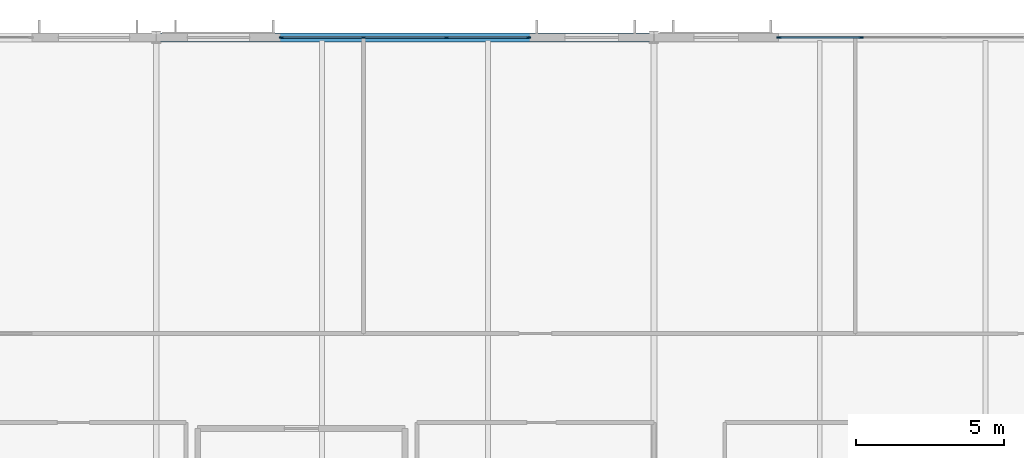
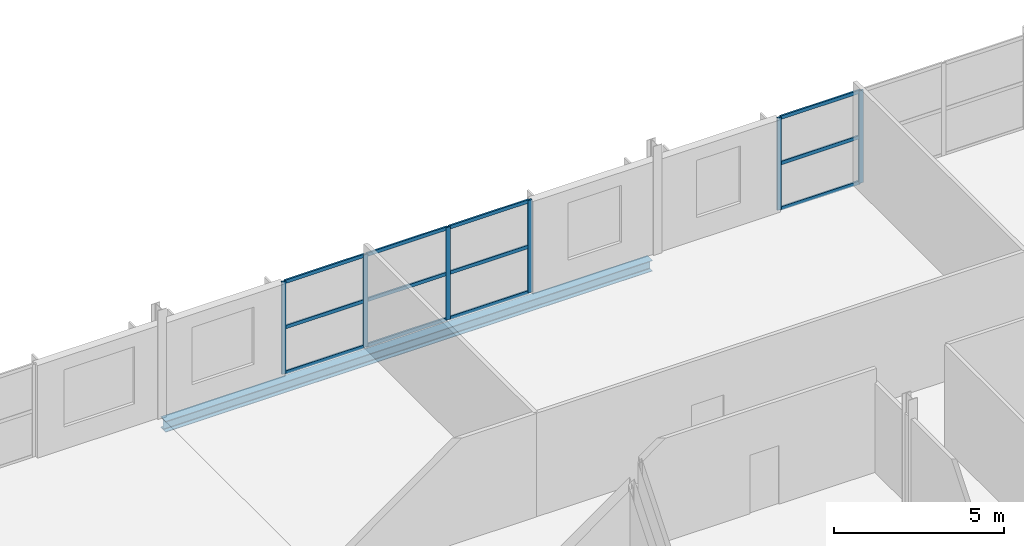
# One storey, part 17 of 36: 18 members, 1 beam, 2 elements without a shape of their own.
"""IFC4 building model written with IfcOpenShell, lengths in metres."""

from ifc_helpers import new_model, si_unit, direction, frame, origin, origin_2d, place, context, subcontext, project, spatial, rectangle, i_section, extrude, material, material_profile, profile_set, type_object, element, aggregate, save


model = new_model("IFC4")

# Units and contexts
model_context = context("Model", 3, precision=1e-05, world=origin(), true_north=direction((0.0, 1.0)))
body_context = subcontext(model_context, "Body", "Model", "MODEL_VIEW")
ifc_project = project(units=[si_unit("LENGTHUNIT", "METRE"), si_unit("AREAUNIT", "SQUARE_METRE"), si_unit("VOLUMEUNIT", "CUBIC_METRE"), si_unit("PLANEANGLEUNIT", "RADIAN"), si_unit("MASSUNIT", "GRAM", prefix="KILO")], contexts=[model_context])

# Site, building, storey
site_placement = place(None, origin())
site = spatial("IfcSite", under=ifc_project, at=site_placement, CompositionType="ELEMENT")
building_placement = place(site_placement, origin())
building = spatial("IfcBuilding", under=site, at=building_placement, Name="Kimbaza Rail Terminus", CompositionType="ELEMENT")
storey_placement = place(building_placement, frame((0.0, 0.0, 21.0)))
storey = spatial("IfcBuildingStorey", under=building, at=storey_placement, Name="L04", CompositionType="ELEMENT", Elevation=21.0)

# Curtain wall, members
ifc_material_1 = material(Name="Anodised aluminium framing and solar low-E glazing", Category="aluminium")
curtain_wall_type = type_object("IfcCurtainWallType", Name="ARC-CW-OP2", PredefinedType="USERDEFINED", material=ifc_material_1)
curtain_wall_1_placement = place(storey_placement, origin())
curtain_wall_1 = element("IfcCurtainWall", 1, at=curtain_wall_1_placement, inside=storey, type_object=curtain_wall_type, Name="Operations North Curtain Wall L04 Bay 3", ObjectType="STICK CURTAIN WALL", PredefinedType="USERDEFINED")
ifc_material_2 = material(Name="Anodised architectural aluminium", Category="aluminium")
ifc_material_profile_1 = material_profile(ifc_material_2, rectangle(XDim=0.05810546875, YDim=0.14990234375, at=origin_2d()), Name="MULLION 58x150")
ifc_profile_set_1 = profile_set([ifc_material_profile_1], Name="Anodised architectural aluminium")
member_type_1 = type_object("IfcMemberType", Name="ARC-CWM-06", PredefinedType="MULLION", material=ifc_profile_set_1)
member_1_placement = place(storey_placement, frame((93.029052734375, 133.0, 0.0), z_axis=(0.0, 0.0, 1.0), x_axis=(0.0, 1.0, 0.0)))
member_1 = element("IfcMember", 2, at=member_1_placement, type_object=member_type_1, Name="CW-06 mullion 1", PredefinedType="MULLION", context=body_context, shape_type="SweptSolid", body=[
    extrude(rectangle(XDim=0.05810546875, YDim=0.14990234375, at=origin_2d()), origin(), (0.0, 0.0, 1.0), 3.31494140625),
])
member_2_placement = place(storey_placement, frame((95.800048828125, 133.0, 0.0), z_axis=(0.0, 0.0, 1.0), x_axis=(0.0, 1.0, 0.0)))
member_2 = element("IfcMember", 3, at=member_2_placement, type_object=member_type_1, Name="CW-06 mullion 2", PredefinedType="MULLION", context=body_context, shape_type="SweptSolid", body=[
    extrude(rectangle(XDim=0.05810546875, YDim=0.14990234375, at=origin_2d()), origin(), (0.0, 0.0, 1.0), 3.31494140625),
])
member_3_placement = place(storey_placement, frame((98.60009765625, 133.0, 0.0), z_axis=(0.0, 0.0, 1.0), x_axis=(0.0, 1.0, 0.0)))
member_3 = element("IfcMember", 4, at=member_3_placement, type_object=member_type_1, Name="CW-06 mullion 3", PredefinedType="MULLION", context=body_context, shape_type="SweptSolid", body=[
    extrude(rectangle(XDim=0.05810546875, YDim=0.14990234375, at=origin_2d()), origin(), (0.0, 0.0, 1.0), 3.31494140625),
])
member_4_placement = place(storey_placement, frame((101.37109375, 133.0, 0.0), z_axis=(0.0, 0.0, 1.0), x_axis=(0.0, 1.0, 0.0)))
member_4 = element("IfcMember", 5, at=member_4_placement, type_object=member_type_1, Name="CW-06 mullion 4", PredefinedType="MULLION", context=body_context, shape_type="SweptSolid", body=[
    extrude(rectangle(XDim=0.05810546875, YDim=0.14990234375, at=origin_2d()), origin(), (0.0, 0.0, 1.0), 3.31494140625),
])

curtain_wall_2_placement = place(storey_placement, origin())
curtain_wall_2 = element("IfcCurtainWall", 6, at=curtain_wall_2_placement, inside=storey, type_object=curtain_wall_type, Name="Operations North Curtain Wall L04 Bay 4", ObjectType="STICK CURTAIN WALL", PredefinedType="USERDEFINED")
member_5_placement = place(storey_placement, frame((109.8291015625, 133.0, 0.0), z_axis=(0.0, 0.0, 1.0), x_axis=(0.0, 1.0, 0.0)))
member_5 = element("IfcMember", 7, at=member_5_placement, type_object=member_type_1, Name="CW-06 mullion 1", PredefinedType="MULLION", context=body_context, shape_type="SweptSolid", body=[
    extrude(rectangle(XDim=0.05810546875, YDim=0.14990234375, at=origin_2d()), origin(), (0.0, 0.0, 1.0), 3.31494140625),
])
member_6_placement = place(storey_placement, frame((112.60009765625, 133.0, 0.0), z_axis=(0.0, 0.0, 1.0), x_axis=(0.0, 1.0, 0.0)))
member_6 = element("IfcMember", 8, at=member_6_placement, type_object=member_type_1, Name="CW-06 mullion 2", PredefinedType="MULLION", context=body_context, shape_type="SweptSolid", body=[
    extrude(rectangle(XDim=0.05810546875, YDim=0.14990234375, at=origin_2d()), origin(), (0.0, 0.0, 1.0), 3.31494140625),
])

# Member
ifc_material_3 = material(Name="Anodised architectural aluminium", Category="aluminium")
ifc_material_profile_2 = material_profile(ifc_material_3, rectangle(XDim=0.05810546875, YDim=0.125, at=origin_2d()), Name="TRANSOM 58x125")
ifc_profile_set_2 = profile_set([ifc_material_profile_2], Name="Anodised architectural aluminium")
member_type_2 = type_object("IfcMemberType", Name="ARC-CWT-06", PredefinedType="USERDEFINED", material=ifc_profile_set_2)
member_7_placement = place(storey_placement, frame((93.05810546875, 133.0, 0.029052734375), z_axis=(1.0, 0.0, 0.0), x_axis=(0.0, 1.0, 0.0)))
member_7 = element("IfcMember", 9, at=member_7_placement, type_object=member_type_2, Name="CW-06 transom 1.1", ObjectType="TRANSOM", PredefinedType="USERDEFINED", context=body_context, shape_type="SweptSolid", body=[
    extrude(rectangle(XDim=0.05810546875, YDim=0.125, at=origin_2d()), origin(), (0.0, 0.0, 1.0), 2.712890625),
])

member_8_placement = place(storey_placement, frame((93.05810546875, 133.0, 1.657470703125), z_axis=(1.0, 0.0, 0.0), x_axis=(0.0, 1.0, 0.0)))
member_8 = element("IfcMember", 10, at=member_8_placement, type_object=member_type_2, Name="CW-06 transom 1.2", ObjectType="TRANSOM", PredefinedType="USERDEFINED", context=body_context, shape_type="SweptSolid", body=[
    extrude(rectangle(XDim=0.05810546875, YDim=0.125, at=origin_2d()), origin(), (0.0, 0.0, 1.0), 2.712890625),
])

member_9_placement = place(storey_placement, frame((93.05810546875, 133.0, 3.285888671875), z_axis=(1.0, 0.0, 0.0), x_axis=(0.0, 1.0, 0.0)))
member_9 = element("IfcMember", 11, at=member_9_placement, type_object=member_type_2, Name="CW-06 transom 1.3", ObjectType="TRANSOM", PredefinedType="USERDEFINED", context=body_context, shape_type="SweptSolid", body=[
    extrude(rectangle(XDim=0.05810546875, YDim=0.125, at=origin_2d()), origin(), (0.0, 0.0, 1.0), 2.712890625),
])

member_10_placement = place(storey_placement, frame((95.8291015625, 133.0, 0.029052734375), z_axis=(1.0, 0.0, 0.0), x_axis=(0.0, 1.0, 0.0)))
member_10 = element("IfcMember", 12, at=member_10_placement, type_object=member_type_2, Name="CW-06 transom 2.1", ObjectType="TRANSOM", PredefinedType="USERDEFINED", context=body_context, shape_type="SweptSolid", body=[
    extrude(rectangle(XDim=0.05810546875, YDim=0.125, at=origin_2d()), origin(), (0.0, 0.0, 1.0), 2.741943359375),
])

member_11_placement = place(storey_placement, frame((95.8291015625, 133.0, 1.657470703125), z_axis=(1.0, 0.0, 0.0), x_axis=(0.0, 1.0, 0.0)))
member_11 = element("IfcMember", 13, at=member_11_placement, type_object=member_type_2, Name="CW-06 transom 2.2", ObjectType="TRANSOM", PredefinedType="USERDEFINED", context=body_context, shape_type="SweptSolid", body=[
    extrude(rectangle(XDim=0.05810546875, YDim=0.125, at=origin_2d()), origin(), (0.0, 0.0, 1.0), 2.741943359375),
])

member_12_placement = place(storey_placement, frame((95.8291015625, 133.0, 3.285888671875), z_axis=(1.0, 0.0, 0.0), x_axis=(0.0, 1.0, 0.0)))
member_12 = element("IfcMember", 14, at=member_12_placement, type_object=member_type_2, Name="CW-06 transom 2.3", ObjectType="TRANSOM", PredefinedType="USERDEFINED", context=body_context, shape_type="SweptSolid", body=[
    extrude(rectangle(XDim=0.05810546875, YDim=0.125, at=origin_2d()), origin(), (0.0, 0.0, 1.0), 2.741943359375),
])

member_13_placement = place(storey_placement, frame((98.62890625, 133.0, 0.029052734375), z_axis=(1.0, 0.0, 0.0), x_axis=(0.0, 1.0, 0.0)))
member_13 = element("IfcMember", 15, at=member_13_placement, type_object=member_type_2, Name="CW-06 transom 3.1", ObjectType="TRANSOM", PredefinedType="USERDEFINED", context=body_context, shape_type="SweptSolid", body=[
    extrude(rectangle(XDim=0.05810546875, YDim=0.125, at=origin_2d()), origin(), (0.0, 0.0, 1.0), 2.713134765625),
])

member_14_placement = place(storey_placement, frame((98.62890625, 133.0, 1.657470703125), z_axis=(1.0, 0.0, 0.0), x_axis=(0.0, 1.0, 0.0)))
member_14 = element("IfcMember", 16, at=member_14_placement, type_object=member_type_2, Name="CW-06 transom 3.2", ObjectType="TRANSOM", PredefinedType="USERDEFINED", context=body_context, shape_type="SweptSolid", body=[
    extrude(rectangle(XDim=0.05810546875, YDim=0.125, at=origin_2d()), origin(), (0.0, 0.0, 1.0), 2.713134765625),
])

member_15_placement = place(storey_placement, frame((98.62890625, 133.0, 3.285888671875), z_axis=(1.0, 0.0, 0.0), x_axis=(0.0, 1.0, 0.0)))
member_15 = element("IfcMember", 17, at=member_15_placement, type_object=member_type_2, Name="CW-06 transom 3.3", ObjectType="TRANSOM", PredefinedType="USERDEFINED", context=body_context, shape_type="SweptSolid", body=[
    extrude(rectangle(XDim=0.05810546875, YDim=0.125, at=origin_2d()), origin(), (0.0, 0.0, 1.0), 2.713134765625),
])

aggregate(curtain_wall_1, [member_1, member_2, member_3, member_4, member_7, member_8, member_9, member_10, member_11, member_12, member_13, member_14, member_15])

member_16_placement = place(storey_placement, frame((109.85791015625, 133.0, 0.029052734375), z_axis=(1.0, 0.0, 0.0), x_axis=(0.0, 1.0, 0.0)))
member_16 = element("IfcMember", 18, at=member_16_placement, type_object=member_type_2, Name="CW-06 transom 1.1", ObjectType="TRANSOM", PredefinedType="USERDEFINED", context=body_context, shape_type="SweptSolid", body=[
    extrude(rectangle(XDim=0.05810546875, YDim=0.125, at=origin_2d()), origin(), (0.0, 0.0, 1.0), 2.713134765625),
])

member_17_placement = place(storey_placement, frame((109.85791015625, 133.0, 1.657470703125), z_axis=(1.0, 0.0, 0.0), x_axis=(0.0, 1.0, 0.0)))
member_17 = element("IfcMember", 19, at=member_17_placement, type_object=member_type_2, Name="CW-06 transom 1.2", ObjectType="TRANSOM", PredefinedType="USERDEFINED", context=body_context, shape_type="SweptSolid", body=[
    extrude(rectangle(XDim=0.05810546875, YDim=0.125, at=origin_2d()), origin(), (0.0, 0.0, 1.0), 2.713134765625),
])

member_18_placement = place(storey_placement, frame((109.85791015625, 133.0, 3.285888671875), z_axis=(1.0, 0.0, 0.0), x_axis=(0.0, 1.0, 0.0)))
member_18 = element("IfcMember", 20, at=member_18_placement, type_object=member_type_2, Name="CW-06 transom 1.3", ObjectType="TRANSOM", PredefinedType="USERDEFINED", context=body_context, shape_type="SweptSolid", body=[
    extrude(rectangle(XDim=0.05810546875, YDim=0.125, at=origin_2d()), origin(), (0.0, 0.0, 1.0), 2.713134765625),
])

aggregate(curtain_wall_2, [member_5, member_6, member_16, member_17, member_18])

# Beam
ifc_material_4 = material(Name="Steel S355", Category="steel")
ifc_material_profile_3 = material_profile(ifc_material_4, i_section(OverallWidth=0.300048828125, OverallDepth=0.389892578125, WebThickness=0.010986328125, FlangeThickness=0.01904296875, FilletRadius=0.027099609375, at=origin_2d()), Name="HEA 400")
ifc_profile_set_3 = profile_set([ifc_material_profile_3], Name="Steel S355")
beam_type = type_object("IfcBeamType", Name="STR-BM-HEA400", PredefinedType="SPANDREL", material=ifc_profile_set_3)
beam_placement = place(storey_placement, frame((88.946044921875, 133.0, -0.39501953125), z_axis=(1.0, 0.0, 0.0), x_axis=(0.0, 1.0, 0.0)))
element("IfcBeam", 21, at=beam_placement, inside=storey, type_object=beam_type, Name="Operations Girder L04 X2-Y2", PredefinedType="SPANDREL", context=body_context, shape_type="SweptSolid", body=[
    extrude(i_section(OverallWidth=0.300048828125, OverallDepth=0.389892578125, WebThickness=0.010986328125, FlangeThickness=0.01904296875, FilletRadius=0.027099609375, at=origin_2d()), origin(), (0.0, 0.0, 1.0), 16.508056640625),
])

save(model, "model.ifc")
